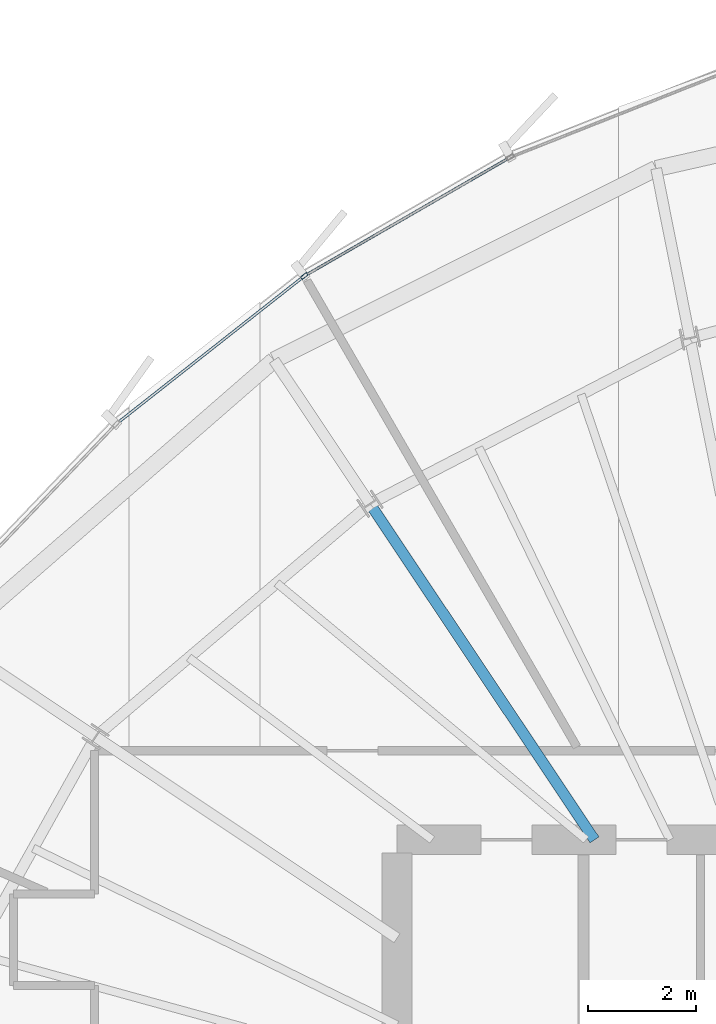
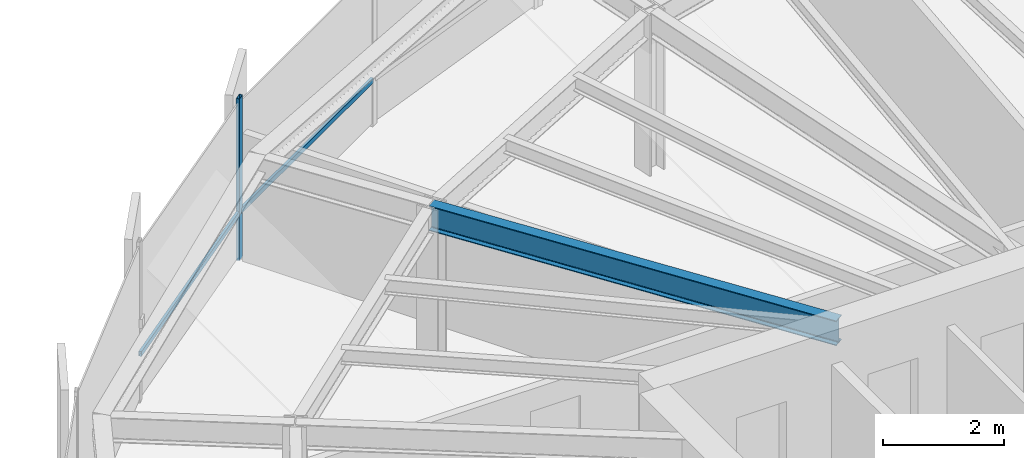
# One storey, part 21 of 35: 3 members, 1 beam, 1 element without a shape of its own.
"""IFC4 building model written with IfcOpenShell, lengths in metres."""

import ifcopenshell
import ifcopenshell.guid

model = None  # the IFC model being written
_history = None  # IfcOwnerHistory: only IFC2X3 demands one
_inside = {}  # id of a spatial element -> (the spatial element, [elements in it])
_under = {}  # id of a project, library or spatial element -> (it, [spatial elements below it])
_declared = {}  # id of a project -> (the project, [libraries it declares])
_typed = {}  # id of a type object -> (the type object, [elements of that type])
_made_of = {}  # id of a material, layer set ... -> (it, [elements and type objects made of it])


def new_model(schema):
    """Start an empty IFC model of exactly this schema.

    Asked for "IFC4X3", IfcOpenShell would pick the latest addendum, in which some entities
    have other attributes; the version numbers below select the first issue.
    IFC2X3 requires an IfcOwnerHistory on every rooted entity: one is made here for all.
    """
    global model, _history
    if schema == "IFC4X3":
        model = ifcopenshell.file(schema_version=(4, 3, 0, 0))
    else:
        model = ifcopenshell.file(schema=schema)
    _inside.clear()
    _under.clear()
    _declared.clear()
    _typed.clear()
    _made_of.clear()
    _history = None
    if model.schema == "IFC2X3":
        org = make("IfcOrganization", Name="unknown")
        user = make(
            "IfcPersonAndOrganization",
            ThePerson=make("IfcPerson", FamilyName="unknown"),
            TheOrganization=org,
        )
        app = make(
            "IfcApplication",
            ApplicationDeveloper=org,
            Version="unknown",
            ApplicationFullName="unknown",
            ApplicationIdentifier="unknown",
        )
        _history = make(
            "IfcOwnerHistory",
            OwningUser=user,
            OwningApplication=app,
            ChangeAction="ADDED",
            CreationDate=0,
        )
    return model


def make(cls, **values):
    """One entity of the class cls with the attributes given. An attribute that is None is left unset."""
    return model.create_entity(
        cls, **{name: value for name, value in values.items() if value is not None}
    )


def rooted(cls, **values):
    """An entity with a GlobalId (a new one), such as an element, a storey or a relation."""
    return make(cls, GlobalId=ifcopenshell.guid.new(), OwnerHistory=_history, **values)


def si_unit(unit_type, name, prefix=None):
    """IfcSIUnit, for example si_unit("LENGTHUNIT", "METRE", prefix="MILLI")."""
    return make("IfcSIUnit", UnitType=unit_type, Prefix=prefix, Name=name)


def assignment(units):
    """IfcUnitAssignment: the units of a project."""
    return None if units is None else make("IfcUnitAssignment", Units=units)


def point(xyz):
    """IfcCartesianPoint."""
    return None if xyz is None else make("IfcCartesianPoint", Coordinates=xyz)


def direction(xyz):
    """IfcDirection."""
    return None if xyz is None else make("IfcDirection", DirectionRatios=xyz)


def frame(location, z_axis=None, x_axis=None):
    """IfcAxis2Placement3D, a coordinate frame: its origin and axes. An axis left out is left unset."""
    return make(
        "IfcAxis2Placement3D",
        Location=point(location),
        Axis=direction(z_axis),
        RefDirection=direction(x_axis),
    )


def frame_2d(location, x_axis=None):
    """IfcAxis2Placement2D, a coordinate frame in the plane: its origin and x axis."""
    return make(
        "IfcAxis2Placement2D", Location=point(location), RefDirection=direction(x_axis)
    )


def origin():
    """The frame at (0, 0, 0) with its axes left unset."""
    return frame((0.0, 0.0, 0.0))


def origin_2d():
    """The frame at (0, 0) in the plane with its x axis left unset."""
    return frame_2d((0.0, 0.0))


def place(relative_to, where):
    """IfcLocalPlacement: puts the frame where relative to a parent placement (None: the world)."""
    return make(
        "IfcLocalPlacement", PlacementRelTo=relative_to, RelativePlacement=where
    )


def context(
    kind, dimensions, precision=None, world=None, true_north=None, identifier=None
):
    """IfcGeometricRepresentationContext, for example the 3D "Model" context."""
    return make(
        "IfcGeometricRepresentationContext",
        ContextIdentifier=identifier,
        ContextType=kind,
        CoordinateSpaceDimension=dimensions,
        Precision=precision,
        WorldCoordinateSystem=world,
        TrueNorth=true_north,
    )


def subcontext(parent, identifier, kind, view, scale=None):
    """IfcGeometricRepresentationSubContext, for example "Body" below "Model"."""
    return make(
        "IfcGeometricRepresentationSubContext",
        ContextIdentifier=identifier,
        ContextType=kind,
        ParentContext=parent,
        TargetScale=scale,
        TargetView=view,
    )


def project(units=None, contexts=None):
    """IfcProject with its units and contexts."""
    return rooted(
        "IfcProject",
        Name="project",
        RepresentationContexts=contexts,
        UnitsInContext=assignment(units),
    )


def spatial(cls, under=None, at=None, **own):
    """A site, building, storey or space (cls), placed at a placement, below another one or the project."""
    s = rooted(cls, ObjectPlacement=at, **own)
    if under is not None:
        _under.setdefault(under.id(), (under, []))[1].append(s)
    return s


def profile(cls, at=None, kind="AREA", **sizes):
    """A parametric profile (cls). Its sizes go by their IFC names, for example OverallWidth=200.0."""
    return make(cls, ProfileType=kind, Position=at, **sizes)


def hollow_rectangle(**sizes):
    """IfcRectangleHollowProfileDef."""
    return profile("IfcRectangleHollowProfileDef", **sizes)


def i_section(**sizes):
    """IfcIShapeProfileDef."""
    return profile("IfcIShapeProfileDef", **sizes)


def extrude(swept, where, along, depth):
    """IfcExtrudedAreaSolid: the profile swept, set in the frame where, extruded along a direction by depth."""
    return make(
        "IfcExtrudedAreaSolid",
        SweptArea=swept,
        Position=where,
        ExtrudedDirection=direction(along),
        Depth=depth,
    )


def shape(context_of_items, identifier, shape_type, items):
    """IfcShapeRepresentation: the items that make up one representation, for example the "Body"."""
    return make(
        "IfcShapeRepresentation",
        ContextOfItems=context_of_items,
        RepresentationIdentifier=identifier,
        RepresentationType=shape_type,
        Items=items,
    )


def source(mapping_origin, context_of_items, identifier, shape_type, items):
    """IfcRepresentationMap: a shape defined once, which mapped items show again and again."""
    return make(
        "IfcRepresentationMap",
        MappingOrigin=mapping_origin,
        MappedRepresentation=shape(context_of_items, identifier, shape_type, items),
    )


def transform(
    local_origin,
    x_axis=None,
    y_axis=None,
    z_axis=None,
    scale=None,
    scale2=None,
    scale3=None,
    uniform=True,
):
    """IfcCartesianTransformationOperator3D, or its non-uniform kind. x_axis, y_axis, z_axis: its Axis1, 2, 3."""
    if uniform:
        return make(
            "IfcCartesianTransformationOperator3D",
            Axis1=direction(x_axis),
            Axis2=direction(y_axis),
            LocalOrigin=point(local_origin),
            Scale=scale,
            Axis3=direction(z_axis),
        )
    return make(
        "IfcCartesianTransformationOperator3DnonUniform",
        Axis1=direction(x_axis),
        Axis2=direction(y_axis),
        LocalOrigin=point(local_origin),
        Scale=scale,
        Axis3=direction(z_axis),
        Scale2=scale2,
        Scale3=scale3,
    )


def mapped(mapping_source, mapping_target):
    """IfcMappedItem: shows the shape of a source again, moved by a transform."""
    return make(
        "IfcMappedItem", MappingSource=mapping_source, MappingTarget=mapping_target
    )


def material(Name=None, Category=None):
    """IfcMaterial."""
    return make("IfcMaterial", Name=Name, Category=Category)


def layer(
    of_material, thickness, ventilated=None, Name=None, Category=None, Priority=None
):
    """IfcMaterialLayer: one layer of a wall or slab, of a material (None: an air gap)."""
    return make(
        "IfcMaterialLayer",
        Material=of_material,
        LayerThickness=thickness,
        IsVentilated=ventilated,
        Name=Name,
        Category=Category,
        Priority=Priority,
    )


def layer_set(layers, Name=None):
    """IfcMaterialLayerSet."""
    return make("IfcMaterialLayerSet", MaterialLayers=layers, LayerSetName=Name)


def material_profile(
    of_material, cross_section, Name=None, Category=None, Priority=None
):
    """IfcMaterialProfile: a cross section and its material."""
    return make(
        "IfcMaterialProfile",
        Name=Name,
        Material=of_material,
        Profile=cross_section,
        Priority=Priority,
        Category=Category,
    )


def profile_set(profiles, Name=None, composite=None):
    """IfcMaterialProfileSet."""
    return make(
        "IfcMaterialProfileSet",
        Name=Name,
        MaterialProfiles=profiles,
        CompositeProfile=composite,
    )


def made_of(thing, what):
    """Note that an element or type object is made of a material, layer set ...; save() writes the relation."""
    if what is not None:
        _made_of.setdefault(what.id(), (what, []))[1].append(thing)
    return thing


def type_object(cls, material=None, **own):
    """A type object (cls), such as IfcWallType, which elements share."""
    return made_of(rooted(cls, **own), material)


def element(
    cls,
    number,
    at=None,
    inside=None,
    cuts=None,
    type_object=None,
    material=None,
    context=None,
    identifier="Body",
    shape_type=None,
    held_by="IfcProductDefinitionShape",
    body=None,
    shapes=None,
    **own,
):
    """One element of the class cls, such as IfcWall. Its Tag is "e" and its number.

    at: its placement. inside: the storey or other place that contains it. cuts: it is an
    opening in that element (IfcRelVoidsElement). A single representation is given by context,
    identifier, shape_type and body (its items); several are given by shapes. held_by: the class
    of the entity that holds the representations. save() writes the other relations.
    """
    e = rooted(cls, Tag="e%d" % number, ObjectPlacement=at, **own)
    if body is not None:
        shapes = [shape(context, identifier, shape_type, body)]
    if shapes is not None:
        e.Representation = make(held_by, Representations=shapes)
    if inside is not None:
        _inside.setdefault(inside.id(), (inside, []))[1].append(e)
    if cuts is not None:
        rooted(
            "IfcRelVoidsElement", RelatingBuildingElement=cuts, RelatedOpeningElement=e
        )
    if type_object is not None:
        _typed.setdefault(type_object.id(), (type_object, []))[1].append(e)
    return made_of(e, material)


def aggregate(whole, parts):
    """IfcRelAggregates: a whole, such as a stair, and the parts it consists of."""
    return rooted("IfcRelAggregates", RelatingObject=whole, RelatedObjects=parts)


def save(model, path):
    """Write the relations noted so far, then the file.

    IfcRelAggregates (storeys below a building ...), IfcRelContainedInSpatialStructure (elements
    in a storey), IfcRelDefinesByType, IfcRelAssociatesMaterial and IfcRelDeclares: one each for
    every whole, place, type object, material and project.
    """
    for whole, parts in _under.values():
        aggregate(whole, parts)
    for where, things in _inside.values():
        rooted(
            "IfcRelContainedInSpatialStructure",
            RelatedElements=things,
            RelatingStructure=where,
        )
    for kind, things in _typed.values():
        rooted("IfcRelDefinesByType", RelatedObjects=things, RelatingType=kind)
    for what, things in _made_of.values():
        rooted("IfcRelAssociatesMaterial", RelatedObjects=things, RelatingMaterial=what)
    for by, libraries in _declared.values():
        rooted("IfcRelDeclares", RelatingContext=by, RelatedDefinitions=libraries)
    model.write(path)


model = new_model("IFC4")

# Units and contexts
model_context = context("Model", 3, precision=1e-05, world=origin(), true_north=direction((0.0, 1.0)))
body_context = subcontext(model_context, "Body", "Model", "MODEL_VIEW")
ifc_project = project(units=[si_unit("LENGTHUNIT", "METRE"), si_unit("AREAUNIT", "SQUARE_METRE"), si_unit("VOLUMEUNIT", "CUBIC_METRE"), si_unit("PLANEANGLEUNIT", "RADIAN"), si_unit("MASSUNIT", "GRAM", prefix="KILO"), si_unit("THERMODYNAMICTEMPERATUREUNIT", "KELVIN")], contexts=[model_context])

# Site, building, storey
site_placement = place(None, origin())
site = spatial("IfcSite", under=ifc_project, at=site_placement, CompositionType="ELEMENT")
building_placement = place(site_placement, origin())
building = spatial("IfcBuilding", under=site, at=building_placement, Name="Kethvar Cultural Tower", CompositionType="ELEMENT")
storey_placement = place(building_placement, frame((0.0, 0.0, 204.39990234375)))
storey = spatial("IfcBuildingStorey", under=building, at=storey_placement, Name="L53", CompositionType="ELEMENT", Elevation=204.39990234375)

# Beam
ifc_material_1 = material(Name="Steel S355J2", Category="steel")
ifc_material_profile_1 = material_profile(ifc_material_1, i_section(OverallWidth=0.199951171875, OverallDepth=0.5, WebThickness=0.01025390625, FlangeThickness=0.01611328125, FilletRadius=0.02099609375, at=origin_2d()), Name="Steel S355J2 — IPE500")
ifc_profile_set_1 = profile_set([ifc_material_profile_1], Name="Steel S355J2 — IPE500")
beam_type = type_object("IfcBeamType", Name="BM-IPE500", PredefinedType="BEAM", material=ifc_profile_set_1)
shared_shape_1 = source(origin(), body_context, "Body", "SweptSolid", [
    extrude(i_section(OverallWidth=0.199951171875, OverallDepth=0.5, WebThickness=0.01025390625, FlangeThickness=0.01611328125, FilletRadius=0.02099609375, at=origin_2d()), origin(), (0.0, 0.0, 1.0), 7.481201171875),
])
beam_placement = place(storey_placement, frame((41.655029296875, 35.5, 3.008056640625), z_axis=(-0.55555842186, 0.831477504146, 0.0), x_axis=(-0.831477504146, -0.55555842186, 0.0)))
element("IfcBeam", 1, at=beam_placement, inside=storey, type_object=beam_type, Name="L53 Primary Radial Beam RB-06", PredefinedType="BEAM", context=body_context, shape_type="MappedRepresentation", body=[
    mapped(shared_shape_1, transform((0.0, 0.0, 0.0), scale=1.0)),
])

# Curtain wall, members
ifc_material_2 = material(Name="Aluminium 6063-T6", Category="aluminium")
ifc_layer = layer(ifc_material_2, 0.179931640625, Name="Aluminium 6063-T6", Category="aluminium")
ifc_layer_set = layer_set([ifc_layer], Name="Aluminium 6063-T6 (180 mm)")
curtain_wall_type = type_object("IfcCurtainWallType", Name="CW-SYS-04-Z34", PredefinedType="NOTDEFINED", material=ifc_layer_set)
curtain_wall_placement = place(storey_placement, origin())
curtain_wall = element("IfcCurtainWall", 2, at=curtain_wall_placement, inside=storey, type_object=curtain_wall_type, Name="L53 Curtain Wall Run 02", PredefinedType="NOTDEFINED")
ifc_material_profile_2 = material_profile(ifc_material_2, hollow_rectangle(XDim=0.06005859375, YDim=0.139892578125, WallThickness=0.0048828125, at=origin_2d()), Name="Aluminium 6063-T6 — RHS140x60x5")
ifc_profile_set_2 = profile_set([ifc_material_profile_2], Name="Aluminium 6063-T6 — RHS140x60x5")
member_type_1 = type_object("IfcMemberType", Name="CW-SYS-04-Z34-MUL", PredefinedType="MULLION", material=ifc_profile_set_2)
shared_shape_2 = source(origin(), body_context, "Body", "SweptSolid", [
    extrude(hollow_rectangle(XDim=0.06005859375, YDim=0.139892578125, WallThickness=0.0048828125, at=origin_2d()), origin(), (0.0, 0.0, 1.0), 3.260009765625),
])
member_1_placement = place(storey_placement, frame((36.282470703125, 45.939453125, 0.0), z_axis=(0.0, 0.0, 1.0), x_axis=(0.618435826561, -0.785835306171, 0.0)))
member_1 = element("IfcMember", 3, at=member_1_placement, type_object=member_type_1, Name="CW-L53-R02 Mullion 3", PredefinedType="MULLION", context=body_context, shape_type="MappedRepresentation", body=[
    mapped(shared_shape_2, transform((0.0, 0.0, 0.0), scale=1.0)),
])
ifc_material_profile_3 = material_profile(ifc_material_2, hollow_rectangle(XDim=0.050048828125, YDim=0.10009765625, WallThickness=0.00390625, at=origin_2d()), Name="Aluminium 6063-T6 — RHS100x50x4")
ifc_profile_set_3 = profile_set([ifc_material_profile_3], Name="Aluminium 6063-T6 — RHS100x50x4")
member_type_2 = type_object("IfcMemberType", Name="CW-SYS-04-Z34-TRN", PredefinedType="USERDEFINED", material=ifc_profile_set_3)
shared_shape_3 = source(origin(), body_context, "Body", "SweptSolid", [
    extrude(hollow_rectangle(XDim=0.050048828125, YDim=0.10009765625, WallThickness=0.00390625, at=origin_2d()), origin(), (0.0, 0.0, 1.0), 4.335205078125),
])
member_2_placement = place(storey_placement, frame((40.062255859375, 48.117919921875, 0.9501953125), z_axis=(-0.866264331243, -0.499585936969, 0.0), x_axis=(0.499585936969, -0.866264331243, 0.0)))
member_2 = element("IfcMember", 4, at=member_2_placement, type_object=member_type_2, Name="CW-L53-R02 Transom 2", ObjectType="TRANSOM", PredefinedType="USERDEFINED", context=body_context, shape_type="MappedRepresentation", body=[
    mapped(shared_shape_3, transform((0.0, 0.0, 0.0), scale=1.0)),
])
shared_shape_4 = source(origin(), body_context, "Body", "SweptSolid", [
    extrude(hollow_rectangle(XDim=0.050048828125, YDim=0.10009765625, WallThickness=0.00390625, at=origin_2d()), origin(), (0.0, 0.0, 1.0), 4.36181640625),
])
member_3_placement = place(storey_placement, frame((36.24853515625, 45.91259765625, 0.9501953125), z_axis=(-0.785840315151, -0.618429461688, 0.0), x_axis=(0.618429461688, -0.785840315151, 0.0)))
member_3 = element("IfcMember", 5, at=member_3_placement, type_object=member_type_2, Name="CW-L53-R02 Transom 3", ObjectType="TRANSOM", PredefinedType="USERDEFINED", context=body_context, shape_type="MappedRepresentation", body=[
    mapped(shared_shape_4, transform((0.0, 0.0, 0.0), scale=1.0)),
])
aggregate(curtain_wall, [member_1, member_2, member_3])

save(model, "model.ifc")
